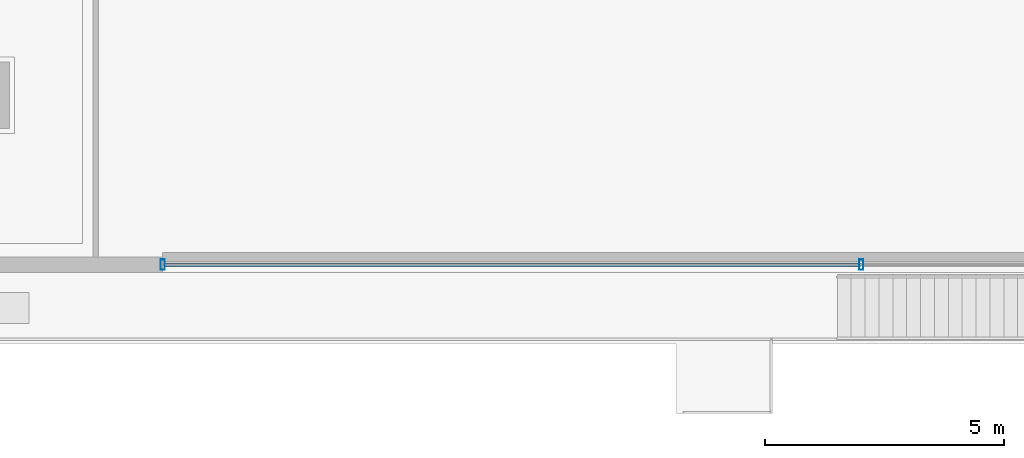
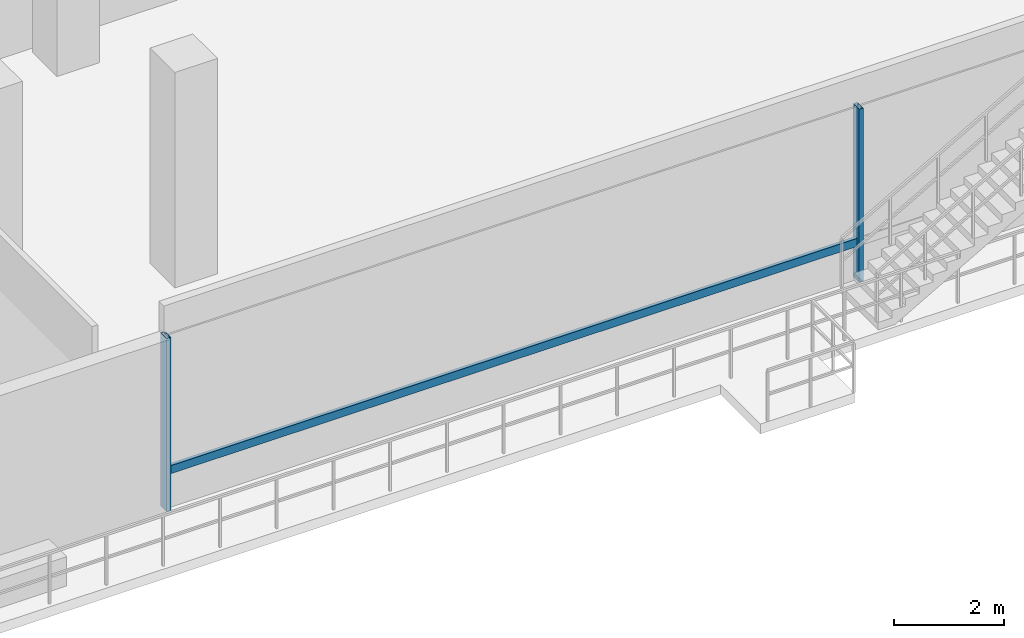
# One storey, part 2 of 22: 3 members, 1 element without a shape of its own.
"""IFC4 building model written with IfcOpenShell, lengths in metres."""

from ifc_helpers import new_model, si_unit, direction, frame, origin, origin_2d, place, context, subcontext, project, spatial, hollow_rectangle, extrude, material, material_profile, profile_set, type_object, element, aggregate, save


model = new_model("IFC4")

# Units and contexts
model_context = context("Model", 3, precision=1e-05, world=origin(), true_north=direction((0.0, 1.0)))
body_context = subcontext(model_context, "Body", "Model", "MODEL_VIEW")
ifc_project = project(units=[si_unit("LENGTHUNIT", "METRE"), si_unit("AREAUNIT", "SQUARE_METRE"), si_unit("VOLUMEUNIT", "CUBIC_METRE"), si_unit("PLANEANGLEUNIT", "RADIAN"), si_unit("MASSUNIT", "GRAM", prefix="KILO")], contexts=[model_context])

# Site, building, storey
site_placement = place(None, origin())
site = spatial("IfcSite", under=ifc_project, at=site_placement, CompositionType="ELEMENT")
building_placement = place(site_placement, origin())
building = spatial("IfcBuilding", under=site, at=building_placement, Name="Thornwick Lancets Civic Towers", CompositionType="ELEMENT")
storey_placement = place(building_placement, frame((0.0, 0.0, 4.800048828125)))
storey = spatial("IfcBuildingStorey", under=building, at=storey_placement, Name="L01", CompositionType="ELEMENT", Elevation=4.800048828125)

# Curtain wall, members
ifc_material_1 = material(Name="Bronze aluminium Gothic lancet podium curtain wall", Category="aluminium")
curtain_wall_type = type_object("IfcCurtainWallType", Name="CW_SYS_01", PredefinedType="NOTDEFINED", material=ifc_material_1)
curtain_wall_placement = place(storey_placement, origin())
curtain_wall = element("IfcCurtainWall", 1, at=curtain_wall_placement, inside=storey, type_object=curtain_wall_type, Name="L01 Curtain Wall CW-L01-POD-SC", PredefinedType="NOTDEFINED")
ifc_material_2 = material(Name="Thermally broken bronze aluminium S355", Category="steel")
ifc_material_profile_1 = material_profile(ifc_material_2, hollow_rectangle(XDim=0.090087890625, YDim=0.219970703125, WallThickness=0.00634765625, at=origin_2d()), Name="RHS 220x90x6.3")
ifc_profile_set_1 = profile_set([ifc_material_profile_1], Name="Thermally broken bronze aluminium S355")
member_type_1 = type_object("IfcMemberType", Name="CW_MUL_220", PredefinedType="MULLION", material=ifc_profile_set_1)
member_1_placement = place(storey_placement, frame((42.39990234375, 6.159912109375, 0.0), z_axis=(0.0, 0.0, 1.0), x_axis=(1.0, 0.0, 0.0)))
member_1 = element("IfcMember", 2, at=member_1_placement, type_object=member_type_1, Name="CW-L01-POD-SC Mullion 0", PredefinedType="MULLION", context=body_context, shape_type="SweptSolid", body=[
    extrude(hollow_rectangle(XDim=0.090087890625, YDim=0.219970703125, WallThickness=0.00634765625, at=origin_2d()), origin(), (0.0, 0.0, 1.0), 3.85986328125),
])
member_2_placement = place(storey_placement, frame((57.0, 6.159912109375, 0.0), z_axis=(0.0, 0.0, 1.0), x_axis=(1.0, 0.0, 0.0)))
member_2 = element("IfcMember", 3, at=member_2_placement, type_object=member_type_1, Name="CW-L01-POD-SC Mullion 1", PredefinedType="MULLION", context=body_context, shape_type="SweptSolid", body=[
    extrude(hollow_rectangle(XDim=0.090087890625, YDim=0.219970703125, WallThickness=0.00634765625, at=origin_2d()), origin(), (0.0, 0.0, 1.0), 3.85986328125),
])
ifc_material_profile_2 = material_profile(ifc_material_2, hollow_rectangle(XDim=0.074951171875, YDim=0.179931640625, WallThickness=0.006103515625, at=origin_2d()), Name="RHS 180x75x6")
ifc_profile_set_2 = profile_set([ifc_material_profile_2], Name="Thermally broken bronze aluminium S355")
member_type_2 = type_object("IfcMemberType", Name="CW_TRN_180", PredefinedType="USERDEFINED", material=ifc_profile_set_2)
member_3_placement = place(storey_placement, frame((42.419921875, 6.159912109375, 0.849853515625), z_axis=(1.0, 0.0, 0.0), x_axis=(0.0, 1.0, 0.0)))
member_3 = element("IfcMember", 4, at=member_3_placement, type_object=member_type_2, Name="CW-L01-POD-SC Transom 0", ObjectType="TRANSOM", PredefinedType="USERDEFINED", context=body_context, shape_type="SweptSolid", body=[
    extrude(hollow_rectangle(XDim=0.074951171875, YDim=0.179931640625, WallThickness=0.006103515625, at=origin_2d()), origin(), (0.0, 0.0, 1.0), 14.56005859375),
])
aggregate(curtain_wall, [member_1, member_2, member_3])

save(model, "model.ifc")
